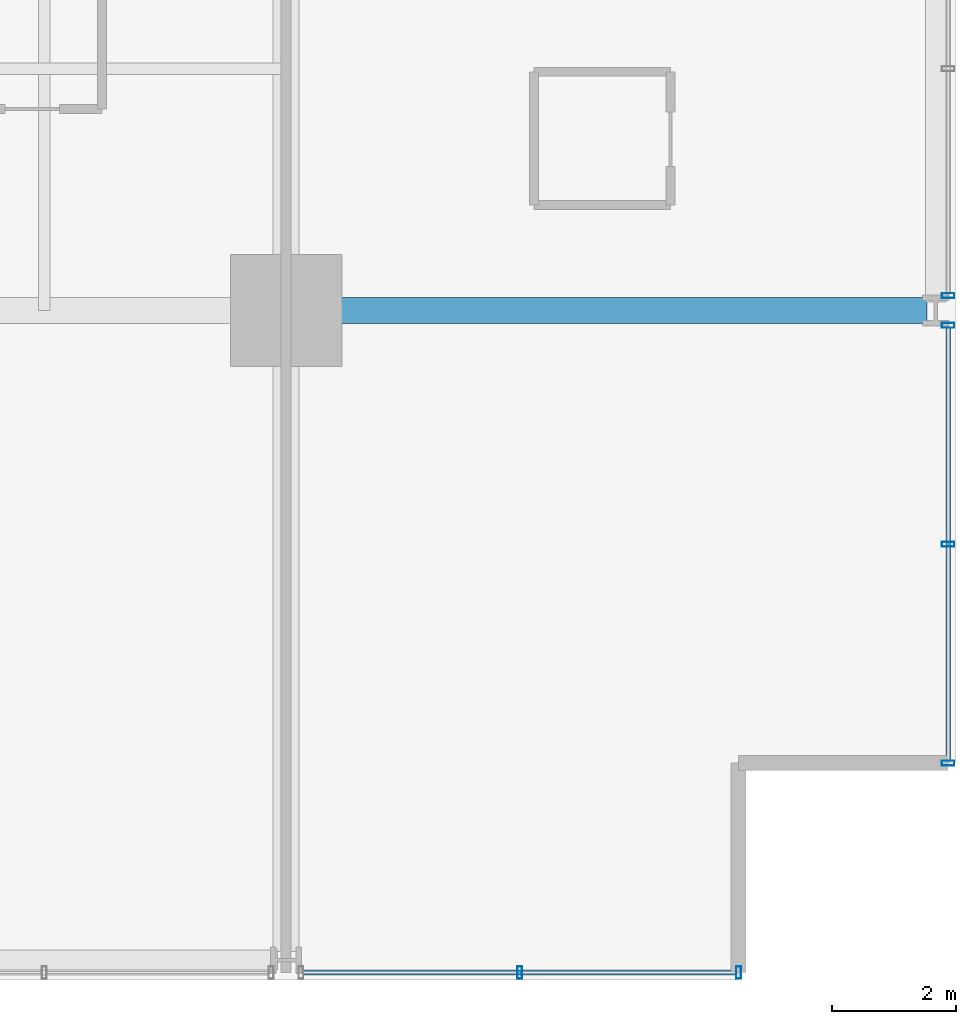
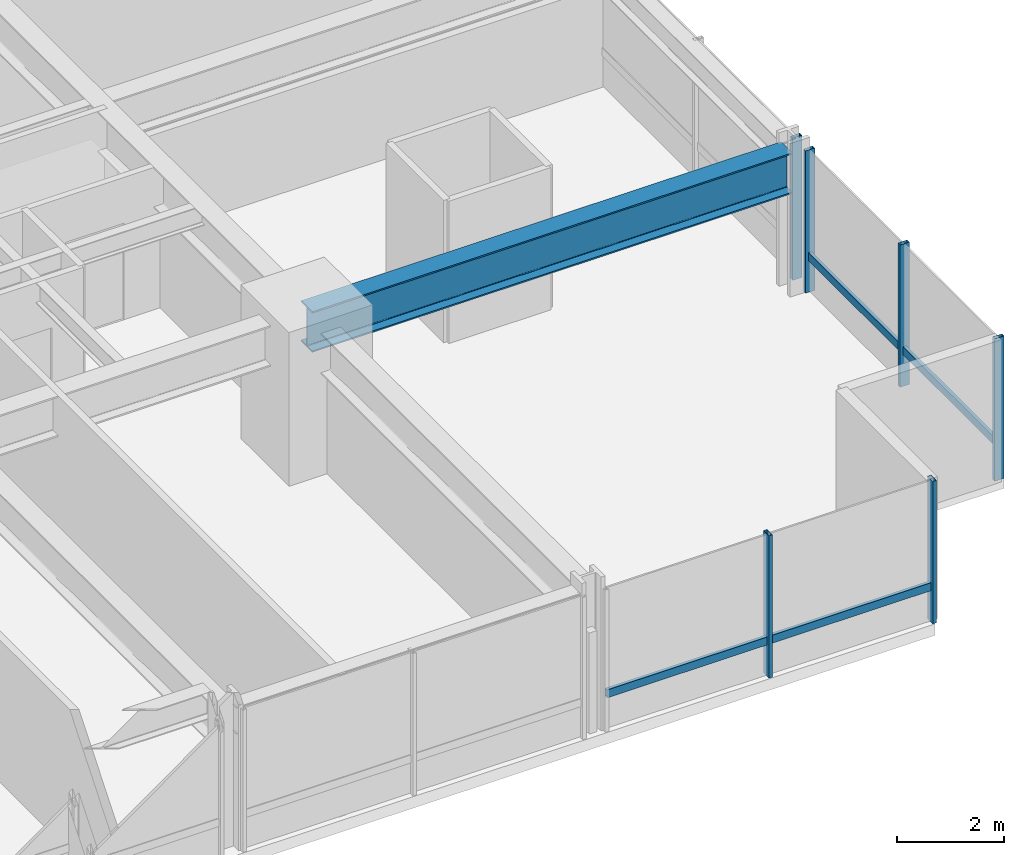
# One storey, part 13 of 39: 8 members, 1 beam, 3 elements without a shape of their own.
"""IFC4 building model written with IfcOpenShell, lengths in metres."""

from ifc_helpers import new_model, si_unit, direction, frame, origin, origin_2d, place, context, subcontext, project, spatial, hollow_rectangle, i_section, extrude, material, layer, layer_set, material_profile, profile_set, type_object, element, aggregate, save


model = new_model("IFC4")

# Units and contexts
model_context = context("Model", 3, precision=1e-05, world=origin(), true_north=direction((0.0, 1.0)))
body_context = subcontext(model_context, "Body", "Model", "MODEL_VIEW")
ifc_project = project(units=[si_unit("LENGTHUNIT", "METRE"), si_unit("AREAUNIT", "SQUARE_METRE"), si_unit("VOLUMEUNIT", "CUBIC_METRE"), si_unit("PLANEANGLEUNIT", "RADIAN"), si_unit("MASSUNIT", "GRAM", prefix="KILO")], contexts=[model_context])

# Site, building, storey
site_placement = place(None, origin())
site = spatial("IfcSite", under=ifc_project, at=site_placement, CompositionType="ELEMENT")
building_placement = place(site_placement, origin())
building = spatial("IfcBuilding", under=site, at=building_placement, Name="Drelvath Grand Hotel", CompositionType="ELEMENT")
storey_placement = place(building_placement, frame((0.0, 0.0, 36.699951171875)))
storey = spatial("IfcBuildingStorey", under=building, at=storey_placement, Name="L07", CompositionType="ELEMENT", Elevation=36.699951171875)

# Curtain wall, member
ifc_material_1 = material(Name="Warm Bronze Anodised Aluminium Frame", Category="aluminium")
ifc_layer = layer(ifc_material_1, 0.199951171875)
ifc_layer_set = layer_set([ifc_layer], Name="Warm Bronze Anodised Aluminium Frame")
curtain_wall_type = type_object("IfcCurtainWallType", Name="Stick Curtain Wall CW-02 Warm Bronze Low-Rise", PredefinedType="NOTDEFINED", material=ifc_layer_set)
curtain_wall_1_placement = place(storey_placement, origin())
curtain_wall_1 = element("IfcCurtainWall", 1, at=curtain_wall_1_placement, inside=storey, type_object=curtain_wall_type, Name="L07 CW-02 Curtain Wall CW02-L07-ES1", PredefinedType="NOTDEFINED")
ifc_material_profile_1 = material_profile(ifc_material_1, hollow_rectangle(XDim=0.074951171875, YDim=0.179931640625, WallThickness=0.0048828125, at=origin_2d()), Name="HSS180X75X5")
ifc_profile_set_1 = profile_set([ifc_material_profile_1], Name="Warm Bronze Anodised Aluminium Frame")
member_type_1 = type_object("IfcMemberType", Name="Curtain Wall Horizontal Transom CW-02 HSS180X75X5", PredefinedType="USERDEFINED", material=ifc_profile_set_1)
member_1_placement = place(storey_placement, frame((26.8798828125, 10.51904296875, 0.81005859375), z_axis=(0.0, -1.0, 0.0), x_axis=(1.0, 0.0, 0.0)))
member_1 = element("IfcMember", 2, at=member_1_placement, type_object=member_type_1, Name="CW02-L07-ES1 Sill Transom", ObjectType="TRANSOM", PredefinedType="USERDEFINED", context=body_context, shape_type="SweptSolid", body=[
    extrude(hollow_rectangle(XDim=0.074951171875, YDim=0.179931640625, WallThickness=0.0048828125, at=origin_2d()), origin(), (0.0, 0.0, 1.0), 6.97900390625),
])

curtain_wall_2_placement = place(storey_placement, origin())
curtain_wall_2 = element("IfcCurtainWall", 3, at=curtain_wall_2_placement, inside=storey, type_object=curtain_wall_type, Name="L07 CW-02 Curtain Wall CW02-L07-SE3", PredefinedType="NOTDEFINED")
member_2_placement = place(storey_placement, frame((23.4599609375, 0.1201171875, 0.81005859375), z_axis=(-1.0, 0.0, 0.0), x_axis=(0.0, -1.0, 0.0)))
member_2 = element("IfcMember", 4, at=member_2_placement, type_object=member_type_1, Name="CW02-L07-SE3 Sill Transom", ObjectType="TRANSOM", PredefinedType="USERDEFINED", context=body_context, shape_type="SweptSolid", body=[
    extrude(hollow_rectangle(XDim=0.074951171875, YDim=0.179931640625, WallThickness=0.0048828125, at=origin_2d()), origin(), (0.0, 0.0, 1.0), 6.97900390625),
])

# Member
ifc_material_profile_2 = material_profile(ifc_material_1, hollow_rectangle(XDim=0.080078125, YDim=0.199951171875, WallThickness=0.0048828125, at=origin_2d()), Name="HSS200X80X5")
ifc_profile_set_2 = profile_set([ifc_material_profile_2], Name="Warm Bronze Anodised Aluminium Frame")
member_type_2 = type_object("IfcMemberType", Name="Curtain Wall Vertical Mullion CW-02 HSS200X80X5", PredefinedType="MULLION", material=ifc_profile_set_2)
member_3_placement = place(storey_placement, frame((26.8798828125, 10.55908203125, 0.0), z_axis=(0.0, 0.0, 1.0), x_axis=(0.0, 1.0, 0.0)))
member_3 = element("IfcMember", 5, at=member_3_placement, type_object=member_type_2, Name="CW02-L07-ES1 Mullion 1", PredefinedType="MULLION", context=body_context, shape_type="SweptSolid", body=[
    extrude(hollow_rectangle(XDim=0.080078125, YDim=0.199951171875, WallThickness=0.0048828125, at=origin_2d()), origin(), (0.0, 0.0, 1.0), 3.239990234375),
])

member_4_placement = place(storey_placement, frame((26.8798828125, 7.029541015625, 0.0), z_axis=(0.0, 0.0, 1.0), x_axis=(0.0, 1.0, 0.0)))
member_4 = element("IfcMember", 6, at=member_4_placement, type_object=member_type_2, Name="CW02-L07-ES1 Mullion 2", PredefinedType="MULLION", context=body_context, shape_type="SweptSolid", body=[
    extrude(hollow_rectangle(XDim=0.080078125, YDim=0.199951171875, WallThickness=0.0048828125, at=origin_2d()), origin(), (0.0, 0.0, 1.0), 3.239990234375),
])

member_5_placement = place(storey_placement, frame((26.8798828125, 3.5, 0.0), z_axis=(0.0, 0.0, 1.0), x_axis=(0.0, 1.0, 0.0)))
member_5 = element("IfcMember", 7, at=member_5_placement, type_object=member_type_2, Name="CW02-L07-ES1 Mullion 3", PredefinedType="MULLION", context=body_context, shape_type="SweptSolid", body=[
    extrude(hollow_rectangle(XDim=0.080078125, YDim=0.199951171875, WallThickness=0.0048828125, at=origin_2d()), origin(), (0.0, 0.0, 1.0), 3.239990234375),
])

aggregate(curtain_wall_1, [member_3, member_4, member_5, member_1])

# Curtain wall, member
curtain_wall_3_placement = place(storey_placement, origin())
curtain_wall_3 = element("IfcCurtainWall", 8, at=curtain_wall_3_placement, inside=storey, type_object=curtain_wall_type, Name="L07 CW-02 Curtain Wall CW02-L07-ES2", PredefinedType="NOTDEFINED")
member_6_placement = place(storey_placement, frame((26.8798828125, 11.041015625, 0.0), z_axis=(0.0, 0.0, 1.0), x_axis=(0.0, 1.0, 0.0)))
member_6 = element("IfcMember", 9, at=member_6_placement, type_object=member_type_2, Name="CW02-L07-ES2 Mullion 3", PredefinedType="MULLION", context=body_context, shape_type="SweptSolid", body=[
    extrude(hollow_rectangle(XDim=0.080078125, YDim=0.199951171875, WallThickness=0.0048828125, at=origin_2d()), origin(), (0.0, 0.0, 1.0), 3.239990234375),
])
aggregate(curtain_wall_3, [member_6])

# Member
member_7_placement = place(storey_placement, frame((23.5, 0.1201171875, 0.0), z_axis=(0.0, 0.0, 1.0), x_axis=(1.0, 0.0, 0.0)))
member_7 = element("IfcMember", 10, at=member_7_placement, type_object=member_type_2, Name="CW02-L07-SE3 Mullion 1", PredefinedType="MULLION", context=body_context, shape_type="SweptSolid", body=[
    extrude(hollow_rectangle(XDim=0.080078125, YDim=0.199951171875, WallThickness=0.0048828125, at=origin_2d()), origin(), (0.0, 0.0, 1.0), 3.239990234375),
])

member_8_placement = place(storey_placement, frame((19.970458984375, 0.1201171875, 0.0), z_axis=(0.0, 0.0, 1.0), x_axis=(1.0, 0.0, 0.0)))
member_8 = element("IfcMember", 11, at=member_8_placement, type_object=member_type_2, Name="CW02-L07-SE3 Mullion 2", PredefinedType="MULLION", context=body_context, shape_type="SweptSolid", body=[
    extrude(hollow_rectangle(XDim=0.080078125, YDim=0.199951171875, WallThickness=0.0048828125, at=origin_2d()), origin(), (0.0, 0.0, 1.0), 3.239990234375),
])

aggregate(curtain_wall_2, [member_7, member_8, member_2])

# Beam
ifc_material_2 = material(Name="Steel ASTM A992 Gr 50", Category="steel")
ifc_material_profile_3 = material_profile(ifc_material_2, i_section(OverallWidth=0.418212890625, OverallDepth=0.926513671875, WebThickness=0.019287109375, FlangeThickness=0.031982421875, FilletRadius=0.028076171875, at=origin_2d()), Name="W36X231")
ifc_profile_set_3 = profile_set([ifc_material_profile_3], Name="Steel ASTM A992 Gr 50")
beam_type = type_object("IfcBeamType", Name="Primary Floor Girder W36X231", PredefinedType="BEAM", material=ifc_profile_set_3)
beam_placement = place(storey_placement, frame((16.199951171875, 10.800048828125, 2.77685546875), z_axis=(1.0, 0.0, 0.0), x_axis=(0.0, 1.0, 0.0)))
element("IfcBeam", 12, at=beam_placement, inside=storey, type_object=beam_type, Name="L07 East Grid Girder C", PredefinedType="BEAM", context=body_context, shape_type="SweptSolid", body=[
    extrude(i_section(OverallWidth=0.418212890625, OverallDepth=0.926513671875, WebThickness=0.019287109375, FlangeThickness=0.031982421875, FilletRadius=0.028076171875, at=origin_2d()), origin(), (0.0, 0.0, 1.0), 10.340087890625),
])

save(model, "model.ifc")
